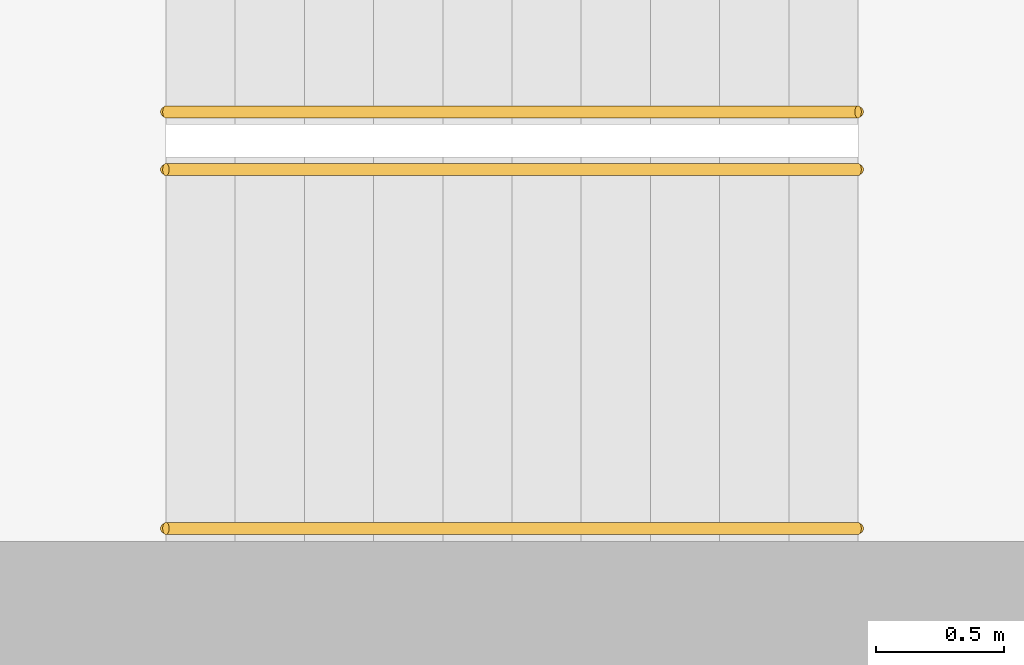
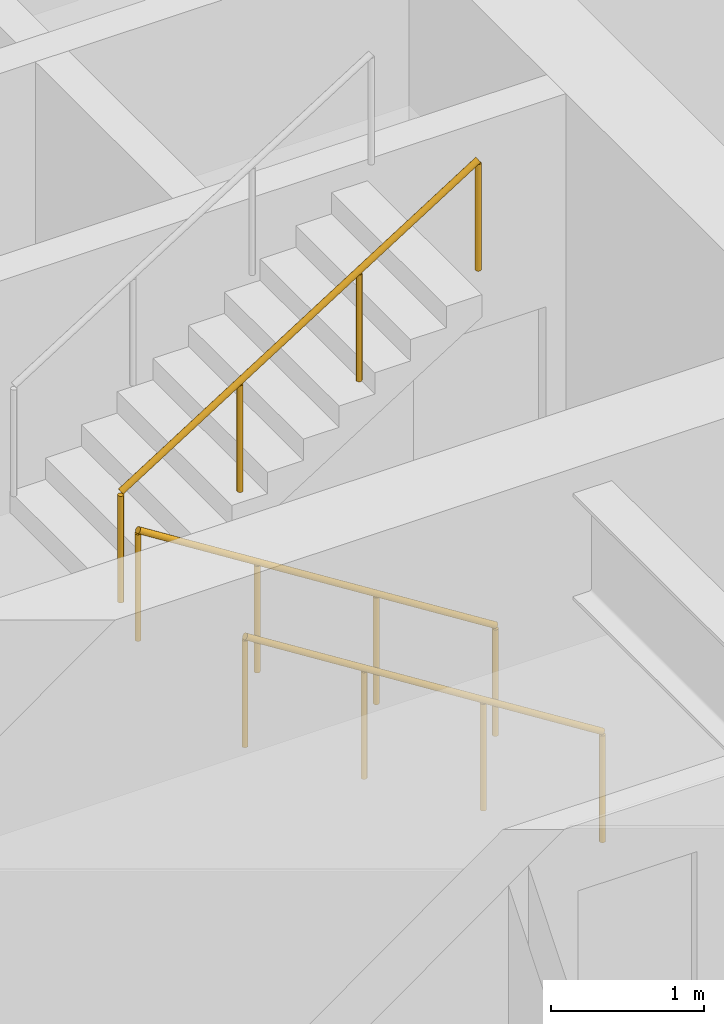
# One storey, part 13 of 16: 3 railings.
"""IFC4 building model written with IfcOpenShell, lengths in metres."""

from ifc_helpers import new_model, si_unit, direction, frame, origin, origin_2d, place, context, subcontext, project, spatial, circle, extrude, material, type_object, element, save


model = new_model("IFC4")

# Units and contexts
model_context = context("Model", 3, precision=1e-05, world=origin(), true_north=direction((0.0, 1.0)))
body_context = subcontext(model_context, "Body", "Model", "MODEL_VIEW")
ifc_project = project(units=[si_unit("LENGTHUNIT", "METRE"), si_unit("AREAUNIT", "SQUARE_METRE"), si_unit("VOLUMEUNIT", "CUBIC_METRE"), si_unit("PLANEANGLEUNIT", "RADIAN"), si_unit("MASSUNIT", "GRAM", prefix="KILO")], contexts=[model_context])

# Site, building, storey
site_placement = place(None, origin())
site = spatial("IfcSite", under=ifc_project, at=site_placement, CompositionType="ELEMENT")
building_placement = place(site_placement, origin())
building = spatial("IfcBuilding", under=site, at=building_placement, Name="Msasa Ring Tower", CompositionType="ELEMENT")
storey_placement = place(building_placement, frame((0.0, 0.0, 212.050048828125)))
storey = spatial("IfcBuildingStorey", under=building, at=storey_placement, Name="L55", CompositionType="ELEMENT", Elevation=212.050048828125)

# Railings
ifc_material = material(Name="Stainless steel", Category="steel")
railing_type = type_object("IfcRailingType", Name="HR1 HANDRAIL 900", PredefinedType="HANDRAIL", material=ifc_material)
for number, where, name in (
    (1, (-10.800048828125, -6.39990234375, 0.17041015625), "Handrail stair SWA L55 1"),
    (2, (-10.800048828125, -5.0, 0.17041015625), "Handrail stair SWA L55 2"),
):
    element("IfcRailing", number, at=place(storey_placement, frame(where)), inside=storey, type_object=railing_type, Name=name, PredefinedType="HANDRAIL", context=body_context, shape_type="SweptSolid", body=[
        extrude(circle(Radius=0.02392578125, at=origin_2d()), frame((0.0, 0.0, 0.8759765625), z_axis=(-0.845579735284, 0.0, 0.533849146555), x_axis=(0.0, -1.0, 0.0)), (0.0, 0.0, 1.0), 3.193115234375),
        extrude(circle(Radius=0.02099609375, at=origin_2d()), origin(), (0.0, 0.0, 1.0), 0.851806640625),
        extrude(circle(Radius=0.02099609375, at=origin_2d()), frame((-0.89990234375, 0.0, 0.568115234375)), (0.0, 0.0, 1.0), 0.851806640625),
        extrude(circle(Radius=0.02099609375, at=origin_2d()), frame((-1.800048828125, 0.0, 1.136474609375)), (0.0, 0.0, 1.0), 0.851806640625),
        extrude(circle(Radius=0.02099609375, at=origin_2d()), frame((-2.699951171875, 0.0, 1.70458984375)), (0.0, 0.0, 1.0), 0.851806640625),
    ])
railing_placement = place(storey_placement, frame((-13.5, -4.77490234375, 2.04541015625)))
element("IfcRailing", 3, at=railing_placement, inside=storey, type_object=railing_type, Name="Handrail stair SWA L55 3", PredefinedType="HANDRAIL", context=body_context, shape_type="SweptSolid", body=[
    extrude(circle(Radius=0.02392578125, at=origin_2d()), frame((0.0, 0.0, 0.8759765625), z_axis=(0.845579735284, 0.0, 0.533849146555), x_axis=(0.0, 1.0, 0.0)), (0.0, 0.0, 1.0), 3.193115234375),
    extrude(circle(Radius=0.02099609375, at=origin_2d()), origin(), (0.0, 0.0, 1.0), 0.851806640625),
    extrude(circle(Radius=0.02099609375, at=origin_2d()), frame((0.89990234375, 0.0, 0.568115234375)), (0.0, 0.0, 1.0), 0.851806640625),
    extrude(circle(Radius=0.02099609375, at=origin_2d()), frame((1.800048828125, 0.0, 1.136474609375)), (0.0, 0.0, 1.0), 0.851806640625),
    extrude(circle(Radius=0.02099609375, at=origin_2d()), frame((2.699951171875, 0.0, 1.70458984375)), (0.0, 0.0, 1.0), 0.851806640625),
])

save(model, "model.ifc")
